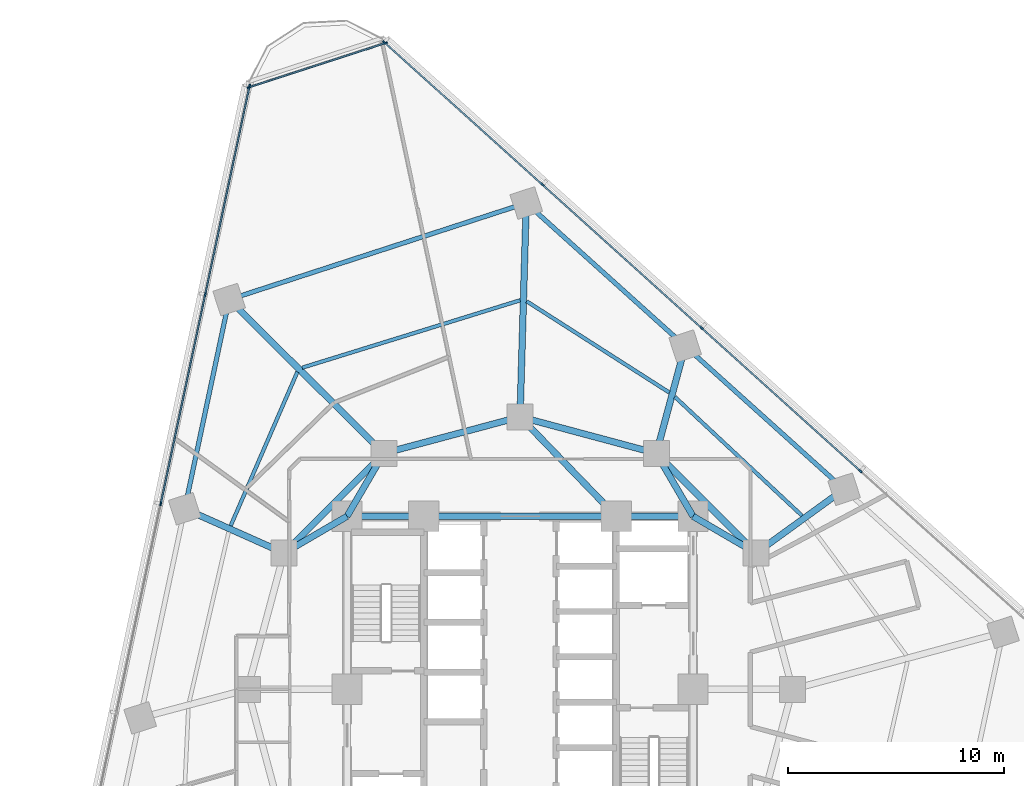
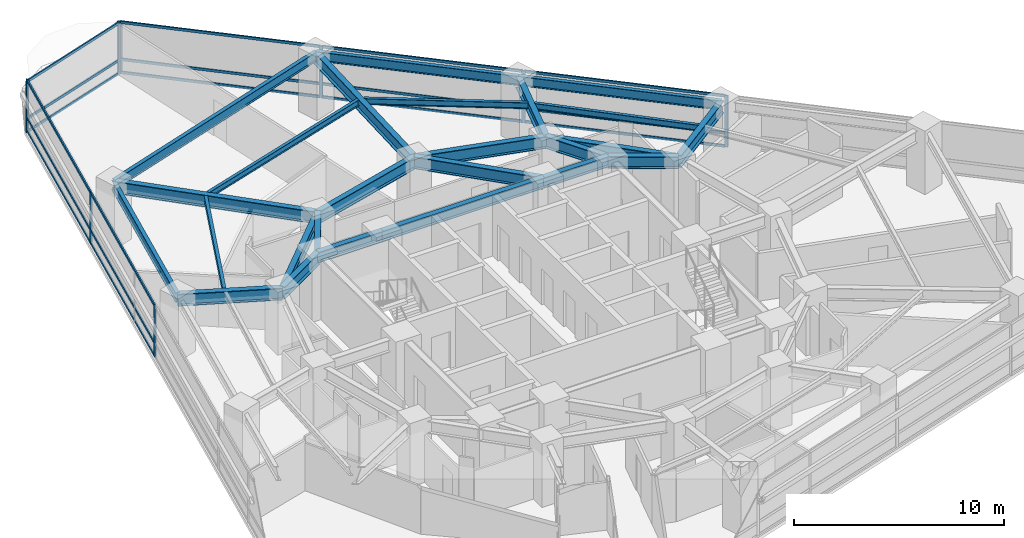
# One storey, part 5 of 13: 27 members, 25 beams, 3 elements without a shape of their own.
"""IFC4 building model written with IfcOpenShell, lengths in metres."""

from ifc_helpers import new_model, si_unit, direction, frame, origin, origin_2d, place, context, subcontext, project, spatial, rectangle, i_section, extrude, material, layer, layer_set, material_profile, profile_set, type_object, element, aggregate, save


model = new_model("IFC4")

# Units and contexts
model_context = context("Model", 3, precision=1e-05, world=origin(), true_north=direction((0.0, 1.0)))
body_context = subcontext(model_context, "Body", "Model", "MODEL_VIEW")
ifc_project = project(units=[si_unit("LENGTHUNIT", "METRE"), si_unit("AREAUNIT", "SQUARE_METRE"), si_unit("VOLUMEUNIT", "CUBIC_METRE"), si_unit("PLANEANGLEUNIT", "RADIAN"), si_unit("MASSUNIT", "GRAM", prefix="KILO")], contexts=[model_context])

# Site, building, storey
site_placement = place(None, origin())
site = spatial("IfcSite", under=ifc_project, at=site_placement, CompositionType="ELEMENT")
building_placement = place(site_placement, origin())
building = spatial("IfcBuilding", under=site, at=building_placement, Name="Terralouvre Media Tower", CompositionType="ELEMENT")
storey_placement = place(building_placement, frame((0.0, 0.0, 94.0)))
storey = spatial("IfcBuildingStorey", under=building, at=storey_placement, Name="L23", CompositionType="ELEMENT", Elevation=94.0)

# Beams
ifc_material_1 = material(Name="Structural steel S355J2", Category="steel")
ifc_material_profile_1 = material_profile(ifc_material_1, i_section(OverallWidth=0.169921875, OverallDepth=0.360107421875, WebThickness=0.008056640625, FlangeThickness=0.0126953125, at=origin_2d()), Name="IPE 360")
ifc_profile_set_1 = profile_set([ifc_material_profile_1], Name="Structural steel S355J2")
beam_type_1 = type_object("IfcBeamType", Name="Composite Floor Joist J-IPE360 (IPE 360)", PredefinedType="JOIST", material=ifc_profile_set_1)
beam_1_placement = place(storey_placement, frame((13.041259765625, 8.02685546875, 3.320068359375), z_axis=(-0.730741620607, 0.682654146631, 0.0), x_axis=(-0.682654146631, -0.730741620607, 0.0)))
element("IfcBeam", 1, at=beam_1_placement, inside=storey, type_object=beam_type_1, Name="L23 Framing Beam JT-L23-08", PredefinedType="JOIST", context=body_context, shape_type="SweptSolid", body=[
    extrude(i_section(OverallWidth=0.169921875, OverallDepth=0.360107421875, WebThickness=0.008056640625, FlangeThickness=0.0126953125, at=origin_2d()), origin(), (0.0, 0.0, 1.0), 8.05224609375),
])
beam_2_placement = place(storey_placement, frame((6.90380859375, 13.721923828125, 3.320068359375), z_axis=(-0.842395313358, 0.538860033805, 0.0), x_axis=(-0.538860033805, -0.842395313358, 0.0)))
element("IfcBeam", 2, at=beam_2_placement, inside=storey, type_object=beam_type_1, Name="L23 Framing Beam JT-L23-09", PredefinedType="JOIST", context=body_context, shape_type="SweptSolid", body=[
    extrude(i_section(OverallWidth=0.169921875, OverallDepth=0.360107421875, WebThickness=0.008056640625, FlangeThickness=0.0126953125, at=origin_2d()), origin(), (0.0, 0.0, 1.0), 7.8349609375),
])
beam_3_placement = place(storey_placement, frame((0.008544921875, 17.99072265625, 3.320068359375), z_axis=(-0.955322607301, -0.295565079095, 0.0), x_axis=(0.295565079095, -0.955322607301, 0.0)))
element("IfcBeam", 3, at=beam_3_placement, inside=storey, type_object=beam_type_1, Name="L23 Framing Beam JT-L23-10", PredefinedType="JOIST", context=body_context, shape_type="SweptSolid", body=[
    extrude(i_section(OverallWidth=0.169921875, OverallDepth=0.360107421875, WebThickness=0.008056640625, FlangeThickness=0.0126953125, at=origin_2d()), origin(), (0.0, 0.0, 1.0), 10.551513671875),
])
beam_4_placement = place(storey_placement, frame((-10.295166015625, 14.676513671875, 3.320068359375), z_axis=(-0.3977895236, -0.91747669993, 0.0), x_axis=(0.91747669993, -0.3977895236, 0.0)))
element("IfcBeam", 4, at=beam_4_placement, inside=storey, type_object=beam_type_1, Name="L23 Framing Beam JT-L23-11", PredefinedType="JOIST", context=body_context, shape_type="SweptSolid", body=[
    extrude(i_section(OverallWidth=0.169921875, OverallDepth=0.360107421875, WebThickness=0.008056640625, FlangeThickness=0.0126953125, at=origin_2d()), origin(), (0.0, 0.0, 1.0), 7.7509765625),
])

# Curtain wall, members
ifc_material_2 = material(Name="Low-iron laminated double glazing with solar-control coating", Category="glass")
ifc_layer_1 = layer(ifc_material_2, 0.1650390625, Name="Lower Media Tower Unitised Curtain Wall CW-02")
ifc_layer_set_1 = layer_set([ifc_layer_1], Name="Low-iron laminated double glazing with solar-control coating")
curtain_wall_type_1 = type_object("IfcCurtainWallType", Name="Lower Media Tower Unitised Curtain Wall CW-02", PredefinedType="NOTDEFINED", material=ifc_layer_set_1)
curtain_wall_1_placement = place(storey_placement, origin())
curtain_wall_1 = element("IfcCurtainWall", 5, at=curtain_wall_1_placement, inside=storey, type_object=curtain_wall_type_1, Name="L23 Facade Curtain Wall F1", PredefinedType="NOTDEFINED")
ifc_material_3 = material(Name="Anodised extruded aluminium 6063-T6", Category="aluminium")
ifc_material_profile_2 = material_profile(ifc_material_3, rectangle(XDim=0.074951171875, YDim=0.14990234375, at=origin_2d()), Name="ALU 75x150")
ifc_profile_set_2 = profile_set([ifc_material_profile_2], Name="Anodised extruded aluminium 6063-T6")
member_type_1 = type_object("IfcMemberType", Name="Curtain-Wall Horizontal Transom TR-150", PredefinedType="USERDEFINED", material=ifc_profile_set_2)
member_1_placement = place(storey_placement, frame((15.712158203125, 10.117431640625, 0.03759765625), z_axis=(-0.743145676677, 0.669129661005, 0.0), x_axis=(-0.669129661005, -0.743145676677, 0.0)))
member_1 = element("IfcMember", 6, at=member_1_placement, type_object=member_type_1, Name="CW-02 transom 3.1", ObjectType="TRANSOM", PredefinedType="USERDEFINED", context=body_context, shape_type="SweptSolid", body=[
    extrude(rectangle(XDim=0.074951171875, YDim=0.14990234375, at=origin_2d()), origin(), (0.0, 0.0, 1.0), 9.81298828125),
])
member_2_placement = place(storey_placement, frame((15.712158203125, 10.117431640625, 0.800048828125), z_axis=(-0.743145676677, 0.669129661005, 0.0), x_axis=(-0.669129661005, -0.743145676677, 0.0)))
member_2 = element("IfcMember", 7, at=member_2_placement, type_object=member_type_1, Name="CW-02 transom 3.2", ObjectType="TRANSOM", PredefinedType="USERDEFINED", context=body_context, shape_type="SweptSolid", body=[
    extrude(rectangle(XDim=0.074951171875, YDim=0.14990234375, at=origin_2d()), origin(), (0.0, 0.0, 1.0), 9.81298828125),
])
member_3_placement = place(storey_placement, frame((15.712158203125, 10.117431640625, 2.96240234375), z_axis=(-0.743145676677, 0.669129661005, 0.0), x_axis=(-0.669129661005, -0.743145676677, 0.0)))
member_3 = element("IfcMember", 8, at=member_3_placement, type_object=member_type_1, Name="CW-02 transom 3.3", ObjectType="TRANSOM", PredefinedType="USERDEFINED", context=body_context, shape_type="SweptSolid", body=[
    extrude(rectangle(XDim=0.074951171875, YDim=0.14990234375, at=origin_2d()), origin(), (0.0, 0.0, 1.0), 9.81298828125),
])
member_4_placement = place(storey_placement, frame((8.36376953125, 16.733642578125, 0.03759765625), z_axis=(-0.743145676677, 0.669129661005, 0.0), x_axis=(-0.669129661005, -0.743145676677, 0.0)))
member_4 = element("IfcMember", 9, at=member_4_placement, type_object=member_type_1, Name="CW-02 transom 4.1", ObjectType="TRANSOM", PredefinedType="USERDEFINED", context=body_context, shape_type="SweptSolid", body=[
    extrude(rectangle(XDim=0.074951171875, YDim=0.14990234375, at=origin_2d()), origin(), (0.0, 0.0, 1.0), 9.81298828125),
])
member_5_placement = place(storey_placement, frame((8.36376953125, 16.733642578125, 0.800048828125), z_axis=(-0.743145676677, 0.669129661005, 0.0), x_axis=(-0.669129661005, -0.743145676677, 0.0)))
member_5 = element("IfcMember", 10, at=member_5_placement, type_object=member_type_1, Name="CW-02 transom 4.2", ObjectType="TRANSOM", PredefinedType="USERDEFINED", context=body_context, shape_type="SweptSolid", body=[
    extrude(rectangle(XDim=0.074951171875, YDim=0.14990234375, at=origin_2d()), origin(), (0.0, 0.0, 1.0), 9.81298828125),
])
member_6_placement = place(storey_placement, frame((8.36376953125, 16.733642578125, 2.96240234375), z_axis=(-0.743145676677, 0.669129661005, 0.0), x_axis=(-0.669129661005, -0.743145676677, 0.0)))
member_6 = element("IfcMember", 11, at=member_6_placement, type_object=member_type_1, Name="CW-02 transom 4.3", ObjectType="TRANSOM", PredefinedType="USERDEFINED", context=body_context, shape_type="SweptSolid", body=[
    extrude(rectangle(XDim=0.074951171875, YDim=0.14990234375, at=origin_2d()), origin(), (0.0, 0.0, 1.0), 9.81298828125),
])
member_7_placement = place(storey_placement, frame((1.015625, 23.35009765625, 0.03759765625), z_axis=(-0.743150075485, 0.669124775588, 0.0), x_axis=(-0.669124775588, -0.743150075485, 0.0)))
member_7 = element("IfcMember", 12, at=member_7_placement, type_object=member_type_1, Name="CW-02 transom 5.1", ObjectType="TRANSOM", PredefinedType="USERDEFINED", context=body_context, shape_type="SweptSolid", body=[
    extrude(rectangle(XDim=0.074951171875, YDim=0.14990234375, at=origin_2d()), origin(), (0.0, 0.0, 1.0), 9.775390625),
])
member_8_placement = place(storey_placement, frame((1.015625, 23.35009765625, 0.800048828125), z_axis=(-0.743150075485, 0.669124775588, 0.0), x_axis=(-0.669124775588, -0.743150075485, 0.0)))
member_8 = element("IfcMember", 13, at=member_8_placement, type_object=member_type_1, Name="CW-02 transom 5.2", ObjectType="TRANSOM", PredefinedType="USERDEFINED", context=body_context, shape_type="SweptSolid", body=[
    extrude(rectangle(XDim=0.074951171875, YDim=0.14990234375, at=origin_2d()), origin(), (0.0, 0.0, 1.0), 9.775390625),
])
member_9_placement = place(storey_placement, frame((1.015625, 23.35009765625, 2.96240234375), z_axis=(-0.743150075485, 0.669124775588, 0.0), x_axis=(-0.669124775588, -0.743150075485, 0.0)))
member_9 = element("IfcMember", 14, at=member_9_placement, type_object=member_type_1, Name="CW-02 transom 5.3", ObjectType="TRANSOM", PredefinedType="USERDEFINED", context=body_context, shape_type="SweptSolid", body=[
    extrude(rectangle(XDim=0.074951171875, YDim=0.14990234375, at=origin_2d()), origin(), (0.0, 0.0, 1.0), 9.775390625),
])

curtain_wall_2_placement = place(storey_placement, origin())
curtain_wall_2 = element("IfcCurtainWall", 15, at=curtain_wall_2_placement, inside=storey, type_object=curtain_wall_type_1, Name="L23 Facade Curtain Wall F2", PredefinedType="NOTDEFINED")
member_10_placement = place(storey_placement, frame((-12.51416015625, 27.85546875, 0.03759765625), z_axis=(-0.207917001862, -0.978146471821, 0.0), x_axis=(0.978146471821, -0.207917001862, 0.0)))
member_10 = element("IfcMember", 16, at=member_10_placement, type_object=member_type_1, Name="CW-02 transom 1.1", ObjectType="TRANSOM", PredefinedType="USERDEFINED", context=body_context, shape_type="SweptSolid", body=[
    extrude(rectangle(XDim=0.074951171875, YDim=0.14990234375, at=origin_2d()), origin(), (0.0, 0.0, 1.0), 9.775390625),
])
member_11_placement = place(storey_placement, frame((-12.51416015625, 27.85546875, 0.800048828125), z_axis=(-0.207917001862, -0.978146471821, 0.0), x_axis=(0.978146471821, -0.207917001862, 0.0)))
member_11 = element("IfcMember", 17, at=member_11_placement, type_object=member_type_1, Name="CW-02 transom 1.2", ObjectType="TRANSOM", PredefinedType="USERDEFINED", context=body_context, shape_type="SweptSolid", body=[
    extrude(rectangle(XDim=0.074951171875, YDim=0.14990234375, at=origin_2d()), origin(), (0.0, 0.0, 1.0), 9.775390625),
])
member_12_placement = place(storey_placement, frame((-12.51416015625, 27.85546875, 2.96240234375), z_axis=(-0.207917001862, -0.978146471821, 0.0), x_axis=(0.978146471821, -0.207917001862, 0.0)))
member_12 = element("IfcMember", 18, at=member_12_placement, type_object=member_type_1, Name="CW-02 transom 1.3", ObjectType="TRANSOM", PredefinedType="USERDEFINED", context=body_context, shape_type="SweptSolid", body=[
    extrude(rectangle(XDim=0.074951171875, YDim=0.14990234375, at=origin_2d()), origin(), (0.0, 0.0, 1.0), 9.775390625),
])
member_13_placement = place(storey_placement, frame((-14.56201171875, 18.22021484375, 0.03759765625), z_axis=(-0.207919755159, -0.97814588657, 0.0), x_axis=(0.97814588657, -0.207919755159, 0.0)))
member_13 = element("IfcMember", 19, at=member_13_placement, type_object=member_type_1, Name="CW-02 transom 2.1", ObjectType="TRANSOM", PredefinedType="USERDEFINED", context=body_context, shape_type="SweptSolid", body=[
    extrude(rectangle(XDim=0.074951171875, YDim=0.14990234375, at=origin_2d()), origin(), (0.0, 0.0, 1.0), 9.812744140625),
])
member_14_placement = place(storey_placement, frame((-14.56201171875, 18.22021484375, 0.800048828125), z_axis=(-0.207919755159, -0.97814588657, 0.0), x_axis=(0.97814588657, -0.207919755159, 0.0)))
member_14 = element("IfcMember", 20, at=member_14_placement, type_object=member_type_1, Name="CW-02 transom 2.2", ObjectType="TRANSOM", PredefinedType="USERDEFINED", context=body_context, shape_type="SweptSolid", body=[
    extrude(rectangle(XDim=0.074951171875, YDim=0.14990234375, at=origin_2d()), origin(), (0.0, 0.0, 1.0), 9.812744140625),
])
member_15_placement = place(storey_placement, frame((-14.56201171875, 18.22021484375, 2.96240234375), z_axis=(-0.207919755159, -0.97814588657, 0.0), x_axis=(0.97814588657, -0.207919755159, 0.0)))
member_15 = element("IfcMember", 21, at=member_15_placement, type_object=member_type_1, Name="CW-02 transom 2.3", ObjectType="TRANSOM", PredefinedType="USERDEFINED", context=body_context, shape_type="SweptSolid", body=[
    extrude(rectangle(XDim=0.074951171875, YDim=0.14990234375, at=origin_2d()), origin(), (0.0, 0.0, 1.0), 9.812744140625),
])

ifc_material_4 = material(Name="Low-iron laminated double glazing with solar-control coating", Category="glass")
ifc_layer_2 = layer(ifc_material_4, 0.1650390625, Name="Rounded Wind-Corner Curved Glazing CW-04")
ifc_layer_set_2 = layer_set([ifc_layer_2], Name="Low-iron laminated double glazing with solar-control coating")
curtain_wall_type_2 = type_object("IfcCurtainWallType", Name="Rounded Wind-Corner Curved Glazing CW-04", PredefinedType="NOTDEFINED", material=ifc_layer_set_2)
curtain_wall_3_placement = place(storey_placement, origin())
curtain_wall_3 = element("IfcCurtainWall", 22, at=curtain_wall_3_placement, inside=storey, type_object=curtain_wall_type_2, Name="L23 Rounded Wind-Corner Curtain Wall C2", PredefinedType="NOTDEFINED")
member_16_placement = place(storey_placement, frame((-6.25244140625, 29.874267578125, 0.03759765625), z_axis=(-0.951049086089, -0.309039861262, 0.0), x_axis=(0.309039861262, -0.951049086089, 0.0)))
member_16 = element("IfcMember", 23, at=member_16_placement, type_object=member_type_1, Name="CW-04 transom 1.1", ObjectType="TRANSOM", PredefinedType="USERDEFINED", context=body_context, shape_type="SweptSolid", body=[
    extrude(rectangle(XDim=0.074951171875, YDim=0.14990234375, at=origin_2d()), origin(), (0.0, 0.0, 1.0), 6.5703125),
])
member_17_placement = place(storey_placement, frame((-6.25244140625, 29.874267578125, 0.800048828125), z_axis=(-0.951049086089, -0.309039861262, 0.0), x_axis=(0.309039861262, -0.951049086089, 0.0)))
member_17 = element("IfcMember", 24, at=member_17_placement, type_object=member_type_1, Name="CW-04 transom 1.2", ObjectType="TRANSOM", PredefinedType="USERDEFINED", context=body_context, shape_type="SweptSolid", body=[
    extrude(rectangle(XDim=0.074951171875, YDim=0.14990234375, at=origin_2d()), origin(), (0.0, 0.0, 1.0), 6.5703125),
])
member_18_placement = place(storey_placement, frame((-6.25244140625, 29.874267578125, 2.96240234375), z_axis=(-0.951049086089, -0.309039861262, 0.0), x_axis=(0.309039861262, -0.951049086089, 0.0)))
member_18 = element("IfcMember", 25, at=member_18_placement, type_object=member_type_1, Name="CW-04 transom 1.3", ObjectType="TRANSOM", PredefinedType="USERDEFINED", context=body_context, shape_type="SweptSolid", body=[
    extrude(rectangle(XDim=0.074951171875, YDim=0.14990234375, at=origin_2d()), origin(), (0.0, 0.0, 1.0), 6.5703125),
])

# Member
ifc_material_5 = material(Name="Anodised extruded aluminium 6063-T6", Category="aluminium")
ifc_material_profile_3 = material_profile(ifc_material_5, rectangle(XDim=0.074951171875, YDim=0.179931640625, at=origin_2d()), Name="ALU 75x180")
ifc_profile_set_3 = profile_set([ifc_material_profile_3], Name="Anodised extruded aluminium 6063-T6")
member_type_2 = type_object("IfcMemberType", Name="Curtain-Wall Vertical Mullion ML-180", PredefinedType="MULLION", material=ifc_profile_set_3)
member_19_placement = place(storey_placement, frame((15.739990234375, 10.09228515625, 0.0), z_axis=(0.0, 0.0, 1.0), x_axis=(-0.669130639602, -0.743144795545, 0.0)))
member_19 = element("IfcMember", 26, at=member_19_placement, type_object=member_type_2, Name="CW-02 mullion 3", PredefinedType="MULLION", context=body_context, shape_type="SweptSolid", body=[
    extrude(rectangle(XDim=0.074951171875, YDim=0.179931640625, at=origin_2d()), origin(), (0.0, 0.0, 1.0), 3.0),
])

member_20_placement = place(storey_placement, frame((8.3916015625, 16.708740234375, 0.0), z_axis=(0.0, 0.0, 1.0), x_axis=(-0.669130639602, -0.743144795545, 0.0)))
member_20 = element("IfcMember", 27, at=member_20_placement, type_object=member_type_2, Name="CW-02 mullion 4", PredefinedType="MULLION", context=body_context, shape_type="SweptSolid", body=[
    extrude(rectangle(XDim=0.074951171875, YDim=0.179931640625, at=origin_2d()), origin(), (0.0, 0.0, 1.0), 3.0),
])

member_21_placement = place(storey_placement, frame((1.04345703125, 23.324951171875, 0.0), z_axis=(0.0, 0.0, 1.0), x_axis=(-0.669130639602, -0.743144795545, 0.0)))
member_21 = element("IfcMember", 28, at=member_21_placement, type_object=member_type_2, Name="CW-02 mullion 5", PredefinedType="MULLION", context=body_context, shape_type="SweptSolid", body=[
    extrude(rectangle(XDim=0.074951171875, YDim=0.179931640625, at=origin_2d()), origin(), (0.0, 0.0, 1.0), 3.0),
])

member_22_placement = place(storey_placement, frame((-6.27685546875, 29.916259765625, 0.0), z_axis=(0.0, 0.0, 1.0), x_axis=(-0.669130639602, -0.743144795545, 0.0)))
member_22 = element("IfcMember", 29, at=member_22_placement, type_object=member_type_2, Name="CW-02 mullion 6", PredefinedType="MULLION", context=body_context, shape_type="SweptSolid", body=[
    extrude(rectangle(XDim=0.074951171875, YDim=0.179931640625, at=origin_2d()), origin(), (0.0, 0.0, 1.0), 3.0),
])

aggregate(curtain_wall_1, [member_19, member_20, member_21, member_22, member_1, member_2, member_3, member_4, member_5, member_6, member_7, member_8, member_9])

member_23_placement = place(storey_placement, frame((-12.50634765625, 27.89208984375, 0.0), z_axis=(0.0, 0.0, 1.0), x_axis=(0.978147610709, -0.207911643887, 0.0)))
member_23 = element("IfcMember", 30, at=member_23_placement, type_object=member_type_2, Name="CW-02 mullion 1", PredefinedType="MULLION", context=body_context, shape_type="SweptSolid", body=[
    extrude(rectangle(XDim=0.074951171875, YDim=0.179931640625, at=origin_2d()), origin(), (0.0, 0.0, 1.0), 3.0),
])

member_24_placement = place(storey_placement, frame((-14.55419921875, 18.257080078125, 0.0), z_axis=(0.0, 0.0, 1.0), x_axis=(0.978147610709, -0.207911643887, 0.0)))
member_24 = element("IfcMember", 31, at=member_24_placement, type_object=member_type_2, Name="CW-02 mullion 2", PredefinedType="MULLION", context=body_context, shape_type="SweptSolid", body=[
    extrude(rectangle(XDim=0.074951171875, YDim=0.179931640625, at=origin_2d()), origin(), (0.0, 0.0, 1.0), 3.0),
])

member_25_placement = place(storey_placement, frame((-16.610107421875, 8.5849609375, 0.0), z_axis=(0.0, 0.0, 1.0), x_axis=(0.978147610709, -0.207911643887, 0.0)))
member_25 = element("IfcMember", 32, at=member_25_placement, type_object=member_type_2, Name="CW-02 mullion 3", PredefinedType="MULLION", context=body_context, shape_type="SweptSolid", body=[
    extrude(rectangle(XDim=0.074951171875, YDim=0.179931640625, at=origin_2d()), origin(), (0.0, 0.0, 1.0), 3.0),
])

aggregate(curtain_wall_2, [member_23, member_24, member_25, member_10, member_11, member_12, member_13, member_14, member_15])

member_26_placement = place(storey_placement, frame((-6.216796875, 29.8857421875, 0.0), z_axis=(0.0, 0.0, 1.0), x_axis=(0.309017701894, -0.951056286408, 0.0)))
member_26 = element("IfcMember", 33, at=member_26_placement, type_object=member_type_2, Name="CW-04 mullion 1", PredefinedType="MULLION", context=body_context, shape_type="SweptSolid", body=[
    extrude(rectangle(XDim=0.074951171875, YDim=0.179931640625, at=origin_2d()), origin(), (0.0, 0.0, 1.0), 3.0),
])

member_27_placement = place(storey_placement, frame((-12.536865234375, 27.832275390625, 0.0), z_axis=(0.0, 0.0, 1.0), x_axis=(0.309017701894, -0.951056286408, 0.0)))
member_27 = element("IfcMember", 34, at=member_27_placement, type_object=member_type_2, Name="CW-04 mullion 2", PredefinedType="MULLION", context=body_context, shape_type="SweptSolid", body=[
    extrude(rectangle(XDim=0.074951171875, YDim=0.179931640625, at=origin_2d()), origin(), (0.0, 0.0, 1.0), 3.0),
])

aggregate(curtain_wall_3, [member_26, member_27, member_16, member_17, member_18])

# Beams
ifc_material_6 = material(Name="Structural steel S355J2", Category="steel")
ifc_material_profile_4 = material_profile(ifc_material_6, i_section(OverallWidth=0.2099609375, OverallDepth=0.550048828125, WebThickness=0.010986328125, FlangeThickness=0.01708984375, at=origin_2d()), Name="IPE 550")
ifc_profile_set_4 = profile_set([ifc_material_profile_4], Name="Structural steel S355J2")
beam_type_2 = type_object("IfcBeamType", Name="Perimeter Spandrel Beam SPB-550 (IPE 550)", PredefinedType="SPANDREL", material=ifc_profile_set_4)
beam_5_placement = place(storey_placement, frame((14.98388671875, 9.25244140625, 3.22509765625), z_axis=(-0.743148033922, 0.669127043002, 0.0), x_axis=(-0.669127043002, -0.743148033922, 0.0)))
element("IfcBeam", 35, at=beam_5_placement, inside=storey, type_object=beam_type_2, Name="L23 Framing Beam BM-L23-PR08", PredefinedType="SPANDREL", context=body_context, shape_type="SweptSolid", body=[
    extrude(i_section(OverallWidth=0.2099609375, OverallDepth=0.550048828125, WebThickness=0.010986328125, FlangeThickness=0.01708984375, at=origin_2d()), origin(), (0.0, 0.0, 1.0), 9.88818359375),
])
beam_6_placement = place(storey_placement, frame((7.635498046875, 15.868896484375, 3.22509765625), z_axis=(-0.743136979084, 0.669139320558, 0.0), x_axis=(-0.669139320558, -0.743136979084, 0.0)))
element("IfcBeam", 36, at=beam_6_placement, inside=storey, type_object=beam_type_2, Name="L23 Framing Beam BM-L23-PR09", PredefinedType="SPANDREL", context=body_context, shape_type="SweptSolid", body=[
    extrude(i_section(OverallWidth=0.2099609375, OverallDepth=0.550048828125, WebThickness=0.010986328125, FlangeThickness=0.01708984375, at=origin_2d()), origin(), (0.0, 0.0, 1.0), 9.887939453125),
])
beam_7_placement = place(storey_placement, frame((0.287353515625, 22.4853515625, 3.22509765625), z_axis=(-0.951052948313, -0.309027975278, 0.0), x_axis=(0.309027975278, -0.951052948313, 0.0)))
element("IfcBeam", 37, at=beam_7_placement, inside=storey, type_object=beam_type_2, Name="L23 Framing Beam BM-L23-PR10", PredefinedType="SPANDREL", context=body_context, shape_type="SweptSolid", body=[
    extrude(i_section(OverallWidth=0.2099609375, OverallDepth=0.550048828125, WebThickness=0.010986328125, FlangeThickness=0.01708984375, at=origin_2d()), origin(), (0.0, 0.0, 1.0), 14.443359375),
])
beam_8_placement = place(storey_placement, frame((-13.448974609375, 18.02197265625, 3.215087890625), z_axis=(-0.207920177572, -0.97814579678, 0.0), x_axis=(0.97814579678, -0.207920177572, 0.0)))
element("IfcBeam", 38, at=beam_8_placement, inside=storey, type_object=beam_type_2, Name="L23 Framing Beam BM-L23-PR11", PredefinedType="SPANDREL", context=body_context, shape_type="SweptSolid", body=[
    extrude(i_section(OverallWidth=0.2099609375, OverallDepth=0.550048828125, WebThickness=0.010986328125, FlangeThickness=0.01708984375, at=origin_2d()), origin(), (0.0, 0.0, 1.0), 9.887939453125),
])
ifc_material_7 = material(Name="Structural steel S460M", Category="steel")
ifc_material_profile_5 = material_profile(ifc_material_7, i_section(OverallWidth=0.300048828125, OverallDepth=0.60009765625, WebThickness=0.015380859375, FlangeThickness=0.030029296875, at=origin_2d()), Name="HEB 600")
ifc_profile_set_5 = profile_set([ifc_material_profile_5], Name="Structural steel S460M")
beam_type_3 = type_object("IfcBeamType", Name="Primary Floor Girder B-HEB600 (HEB 600)", PredefinedType="BEAM", material=ifc_profile_set_5)
beam_9_placement = place(storey_placement, frame((8.0, 8.0, 3.199951171875), z_axis=(-1.0, 0.0, 0.0), x_axis=(0.0, -1.0, 0.0)))
element("IfcBeam", 39, at=beam_9_placement, inside=storey, type_object=beam_type_3, Name="L23 Framing Beam BM-L23-CPR06", PredefinedType="BEAM", context=body_context, shape_type="SweptSolid", body=[
    extrude(i_section(OverallWidth=0.300048828125, OverallDepth=0.60009765625, WebThickness=0.015380859375, FlangeThickness=0.030029296875, at=origin_2d()), origin(), (0.0, 0.0, 1.0), 3.550048828125),
])
beam_10_placement = place(storey_placement, frame((4.449951171875, 8.0, 3.199951171875), z_axis=(-1.0, 0.0, 0.0), x_axis=(0.0, -1.0, 0.0)))
element("IfcBeam", 40, at=beam_10_placement, inside=storey, type_object=beam_type_3, Name="L23 Framing Beam BM-L23-CPR07", PredefinedType="BEAM", context=body_context, shape_type="SweptSolid", body=[
    extrude(i_section(OverallWidth=0.300048828125, OverallDepth=0.60009765625, WebThickness=0.015380859375, FlangeThickness=0.030029296875, at=origin_2d()), origin(), (0.0, 0.0, 1.0), 8.89990234375),
])
beam_11_placement = place(storey_placement, frame((-4.449951171875, 8.0, 3.199951171875), z_axis=(-1.0, 0.0, 0.0), x_axis=(0.0, -1.0, 0.0)))
element("IfcBeam", 41, at=beam_11_placement, inside=storey, type_object=beam_type_3, Name="L23 Framing Beam BM-L23-CPR08", PredefinedType="BEAM", context=body_context, shape_type="SweptSolid", body=[
    extrude(i_section(OverallWidth=0.300048828125, OverallDepth=0.60009765625, WebThickness=0.015380859375, FlangeThickness=0.030029296875, at=origin_2d()), origin(), (0.0, 0.0, 1.0), 3.550048828125),
])
ifc_material_8 = material(Name="Structural steel S460M", Category="steel")
ifc_material_profile_6 = material_profile(ifc_material_8, i_section(OverallWidth=0.300048828125, OverallDepth=0.699951171875, WebThickness=0.01708984375, FlangeThickness=0.031982421875, at=origin_2d()), Name="HEB 700")
ifc_profile_set_6 = profile_set([ifc_material_profile_6], Name="Structural steel S460M")
beam_type_4 = type_object("IfcBeamType", Name="Primary Floor Girder B-HEB700 (HEB 700)", PredefinedType="BEAM", material=ifc_profile_set_6)
beam_12_placement = place(storey_placement, frame((10.911865234375, 6.300048828125, 3.14990234375), z_axis=(-0.707106781187, 0.707106781187, 0.0), x_axis=(-0.707106781187, -0.707106781187, 0.0)))
element("IfcBeam", 42, at=beam_12_placement, inside=storey, type_object=beam_type_4, Name="L23 Framing Beam BM-L23-MR07", PredefinedType="BEAM", context=body_context, shape_type="SweptSolid", body=[
    extrude(i_section(OverallWidth=0.300048828125, OverallDepth=0.699951171875, WebThickness=0.01708984375, FlangeThickness=0.031982421875, at=origin_2d()), origin(), (0.0, 0.0, 1.0), 6.52197265625),
])
for number, where, z_axis, x_axis, name in (
    (43, (6.300048828125, 10.911865234375, 3.14990234375), (-0.965920481897, 0.258838989821, 0.0), (-0.258838989821, -0.965920481897, 0.0), "L23 Framing Beam BM-L23-MR08"),
    (44, (0.0, 12.60009765625, 3.14990234375), (-0.965920481897, -0.258838989821, 0.0), (0.258838989821, -0.965920481897, 0.0), "L23 Framing Beam BM-L23-MR09"),
):
    element("IfcBeam", number, at=place(storey_placement, frame(where, z_axis=z_axis, x_axis=x_axis)), inside=storey, type_object=beam_type_4, Name=name, PredefinedType="BEAM", context=body_context, shape_type="SweptSolid", body=[
        extrude(i_section(OverallWidth=0.300048828125, OverallDepth=0.699951171875, WebThickness=0.01708984375, FlangeThickness=0.031982421875, at=origin_2d()), origin(), (0.0, 0.0, 1.0), 6.522216796875),
    ])
beam_13_placement = place(storey_placement, frame((-6.300048828125, 10.911865234375, 3.14990234375), z_axis=(-0.707106781187, -0.707106781187, 0.0), x_axis=(0.707106781187, -0.707106781187, 0.0)))
element("IfcBeam", 45, at=beam_13_placement, inside=storey, type_object=beam_type_4, Name="L23 Framing Beam BM-L23-MR10", PredefinedType="BEAM", context=body_context, shape_type="SweptSolid", body=[
    extrude(i_section(OverallWidth=0.300048828125, OverallDepth=0.699951171875, WebThickness=0.01708984375, FlangeThickness=0.031982421875, at=origin_2d()), origin(), (0.0, 0.0, 1.0), 6.52197265625),
])
for number, where, z_axis, x_axis, name in (
    (46, (8.0, 8.0, 3.14990234375), (0.863602894532, -0.504172629717, 0.0), (0.504172629717, 0.863602894532, 0.0), "L23 Framing Beam BM-L23-CM07"),
    (47, (8.0, 8.0, 3.14990234375), (-0.504172629717, 0.863602894532, 0.0), (-0.863602894532, -0.504172629717, 0.0), "L23 Framing Beam BM-L23-CM08"),
):
    element("IfcBeam", number, at=place(storey_placement, frame(where, z_axis=z_axis, x_axis=x_axis)), inside=storey, type_object=beam_type_4, Name=name, PredefinedType="BEAM", context=body_context, shape_type="SweptSolid", body=[
        extrude(i_section(OverallWidth=0.300048828125, OverallDepth=0.699951171875, WebThickness=0.01708984375, FlangeThickness=0.031982421875, at=origin_2d()), origin(), (0.0, 0.0, 1.0), 3.371826171875),
    ])
beam_14_placement = place(storey_placement, frame((4.449951171875, 8.0, 3.14990234375), z_axis=(-0.695279715726, 0.718739255155, 0.0), x_axis=(-0.718739255155, -0.695279715726, 0.0)))
element("IfcBeam", 48, at=beam_14_placement, inside=storey, type_object=beam_type_4, Name="L23 Framing Beam BM-L23-CM09", PredefinedType="BEAM", context=body_context, shape_type="SweptSolid", body=[
    extrude(i_section(OverallWidth=0.300048828125, OverallDepth=0.699951171875, WebThickness=0.01708984375, FlangeThickness=0.031982421875, at=origin_2d()), origin(), (0.0, 0.0, 1.0), 6.400146484375),
])
for number, where, z_axis, x_axis, name in (
    (49, (-8.0, 8.0, 3.14990234375), (0.504172629717, 0.863602894532, 0.0), (-0.863602894532, 0.504172629717, 0.0), "L23 Framing Beam BM-L23-CM10"),
    (50, (-8.0, 8.0, 3.14990234375), (-0.863602894532, -0.504172629717, 0.0), (0.504172629717, -0.863602894532, 0.0), "L23 Framing Beam BM-L23-CM11"),
):
    element("IfcBeam", number, at=place(storey_placement, frame(where, z_axis=z_axis, x_axis=x_axis)), inside=storey, type_object=beam_type_4, Name=name, PredefinedType="BEAM", context=body_context, shape_type="SweptSolid", body=[
        extrude(i_section(OverallWidth=0.300048828125, OverallDepth=0.699951171875, WebThickness=0.01708984375, FlangeThickness=0.031982421875, at=origin_2d()), origin(), (0.0, 0.0, 1.0), 3.371826171875),
    ])
beam_15_placement = place(storey_placement, frame((10.911865234375, 6.300048828125, 3.14990234375), z_axis=(0.809593719636, 0.586990638022, 0.0), x_axis=(-0.586990638022, 0.809593719636, 0.0)))
element("IfcBeam", 51, at=beam_15_placement, inside=storey, type_object=beam_type_4, Name="L23 Framing Beam BM-L23-RD08", PredefinedType="BEAM", context=body_context, shape_type="SweptSolid", body=[
    extrude(i_section(OverallWidth=0.300048828125, OverallDepth=0.699951171875, WebThickness=0.01708984375, FlangeThickness=0.031982421875, at=origin_2d()), origin(), (0.0, 0.0, 1.0), 5.02978515625),
])
beam_16_placement = place(storey_placement, frame((6.300048828125, 10.911865234375, 3.14990234375), z_axis=(0.260130371447, 0.96557350308, 0.0), x_axis=(-0.96557350308, 0.260130371447, 0.0)))
element("IfcBeam", 52, at=beam_16_placement, inside=storey, type_object=beam_type_4, Name="L23 Framing Beam BM-L23-RD09", PredefinedType="BEAM", context=body_context, shape_type="SweptSolid", body=[
    extrude(i_section(OverallWidth=0.300048828125, OverallDepth=0.699951171875, WebThickness=0.01708984375, FlangeThickness=0.031982421875, at=origin_2d()), origin(), (0.0, 0.0, 1.0), 5.1337890625),
])
beam_17_placement = place(storey_placement, frame((0.0, 12.60009765625, 3.14990234375), z_axis=(0.029056632049, 0.999577766927, 0.0), x_axis=(-0.999577766927, 0.029056632049, 0.0)))
element("IfcBeam", 53, at=beam_17_placement, inside=storey, type_object=beam_type_4, Name="L23 Framing Beam BM-L23-RD10", PredefinedType="BEAM", context=body_context, shape_type="SweptSolid", body=[
    extrude(i_section(OverallWidth=0.300048828125, OverallDepth=0.699951171875, WebThickness=0.01708984375, FlangeThickness=0.031982421875, at=origin_2d()), origin(), (0.0, 0.0, 1.0), 9.889404296875),
])
beam_18_placement = place(storey_placement, frame((-6.300048828125, 10.911865234375, 3.14990234375), z_axis=(-0.709029159826, 0.705179161998, 0.0), x_axis=(-0.705179161998, -0.709029159826, 0.0)))
element("IfcBeam", 54, at=beam_18_placement, inside=storey, type_object=beam_type_4, Name="L23 Framing Beam BM-L23-RD11", PredefinedType="BEAM", context=body_context, shape_type="SweptSolid", body=[
    extrude(i_section(OverallWidth=0.300048828125, OverallDepth=0.699951171875, WebThickness=0.01708984375, FlangeThickness=0.031982421875, at=origin_2d()), origin(), (0.0, 0.0, 1.0), 10.082763671875),
])
beam_19_placement = place(storey_placement, frame((-10.911865234375, 6.300048828125, 3.139892578125), z_axis=(-0.913167886247, 0.407583625196, 0.0), x_axis=(-0.407583625196, -0.913167886247, 0.0)))
element("IfcBeam", 55, at=beam_19_placement, inside=storey, type_object=beam_type_4, Name="L23 Framing Beam BM-L23-RD12", PredefinedType="BEAM", context=body_context, shape_type="SweptSolid", body=[
    extrude(i_section(OverallWidth=0.300048828125, OverallDepth=0.699951171875, WebThickness=0.01708984375, FlangeThickness=0.031982421875, at=origin_2d()), origin(), (0.0, 0.0, 1.0), 5.02978515625),
])

save(model, "model.ifc")
